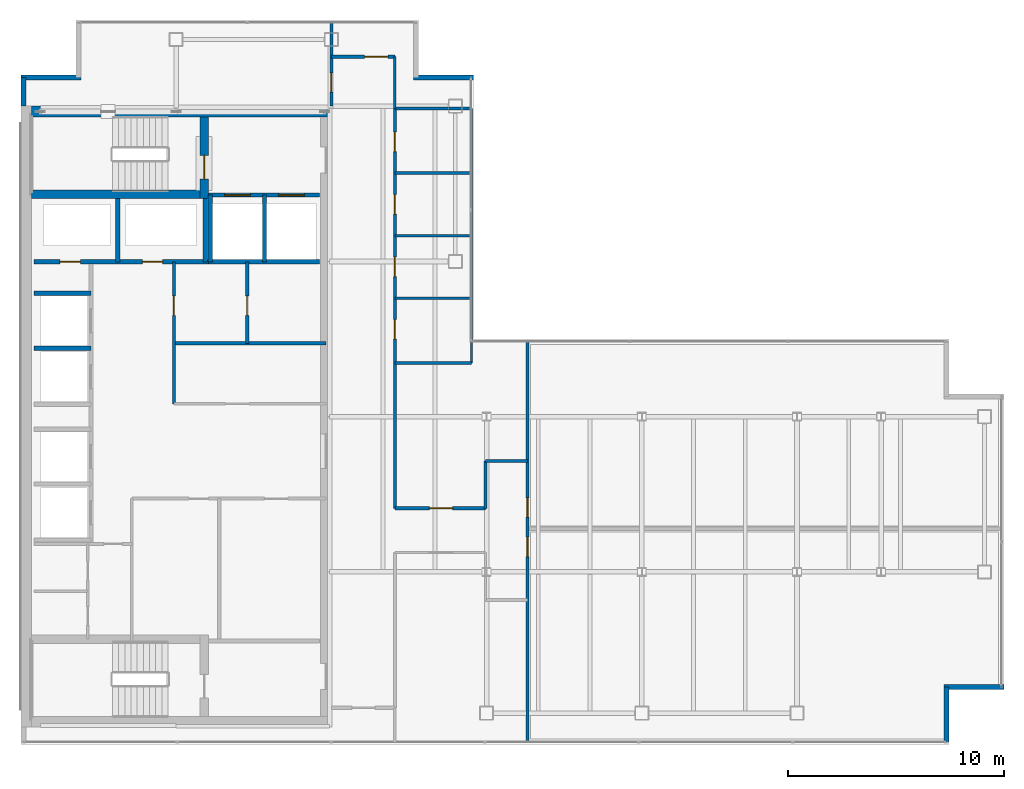
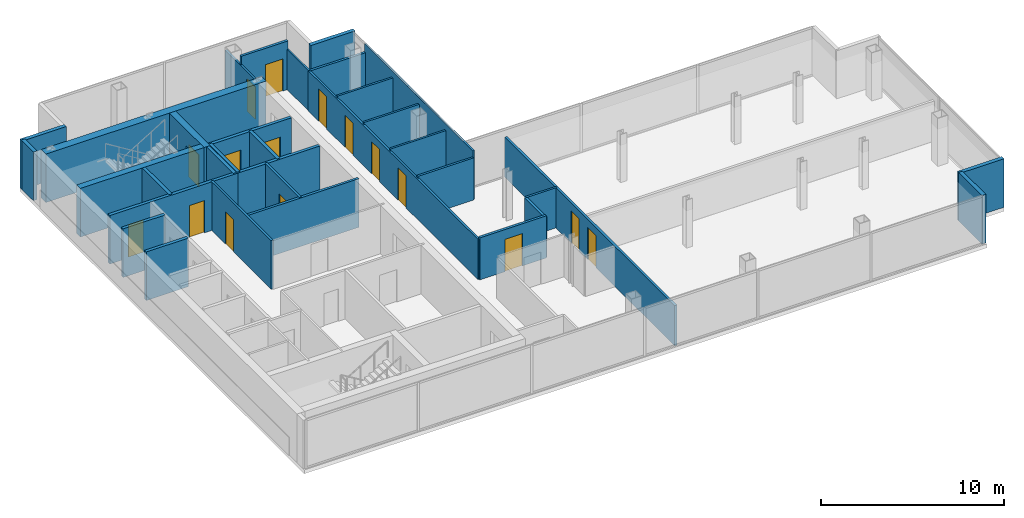
# One storey, part 21 of 23: 34 walls, 16 doors, 16 openings.
"""IFC4 building model written with IfcOpenShell, lengths in metres."""

from ifc_helpers import new_model, si_unit, direction, frame, frame_2d, origin, place, context, subcontext, project, spatial, rectangle, extrude, material, layer, layer_set, type_object, element, fill, save


model = new_model("IFC4")

# Units and contexts
model_context = context("Model", 3, precision=1e-05, world=origin(), true_north=direction((0.0, 1.0)))
body_context = subcontext(model_context, "Body", "Model", "MODEL_VIEW")
ifc_project = project(units=[si_unit("LENGTHUNIT", "METRE"), si_unit("AREAUNIT", "SQUARE_METRE"), si_unit("VOLUMEUNIT", "CUBIC_METRE"), si_unit("PLANEANGLEUNIT", "RADIAN"), si_unit("MASSUNIT", "GRAM", prefix="KILO")], contexts=[model_context])

# Site, building, storey
site_placement = place(None, origin())
site = spatial("IfcSite", under=ifc_project, at=site_placement, CompositionType="ELEMENT")
building_placement = place(site_placement, origin())
building = spatial("IfcBuilding", under=site, at=building_placement, Name="Cobrela Telecom Tower", CompositionType="ELEMENT")
storey_placement = place(building_placement, frame((0.0, 0.0, 251.64990234375)))
storey = spatial("IfcBuildingStorey", under=building, at=storey_placement, Name="L65", CompositionType="ELEMENT", Elevation=251.64990234375)

# Walls
ifc_material_1 = material(Name="Concrete C40/50", Category="concrete")
ifc_layer_1 = layer(ifc_material_1, 0.5)
ifc_layer_set_1 = layer_set([ifc_layer_1], Name="Concrete C40/50")
wall_type_1 = type_object("IfcWallType", Name="WALL-CORE-C40-500", PredefinedType="SHEAR", material=ifc_layer_set_1)
wall_1_placement = place(storey_placement, frame((0.5, 35.75, 0.0), z_axis=(0.0, 0.0, 1.0), x_axis=(1.0, 0.0, 0.0)))
element("IfcWall", 1, at=wall_1_placement, inside=storey, type_object=wall_type_1, Name="L65 North Core Shear Wall", PredefinedType="SHEAR", context=body_context, shape_type="SweptSolid", body=[
    extrude(rectangle(XDim=13.89990234375, YDim=0.5, at=frame_2d((6.949951171875, 0.0))), origin(), (0.0, 0.0, 1.0), 3.239990234375),
])
ifc_layer_2 = layer(ifc_material_1, 0.239990234375)
ifc_layer_set_2 = layer_set([ifc_layer_2], Name="Concrete C40/50")
wall_type_2 = type_object("IfcWallType", Name="WALL-EXT-300", PredefinedType="STANDARD", material=ifc_layer_set_2)
wall_2_placement = place(storey_placement, frame((0.1201171875, 36.0, 0.0), z_axis=(0.0, 0.0, 1.0), x_axis=(0.0, 1.0, 0.0)))
element("IfcWall", 2, at=wall_2_placement, inside=storey, type_object=wall_type_2, Name="L65 Insulated Facade Wall 02", PredefinedType="STANDARD", context=body_context, shape_type="SweptSolid", body=[
    extrude(rectangle(XDim=1.330078125, YDim=0.239990234375, at=frame_2d((0.6650390625, 0.0))), origin(), (0.0, 0.0, 1.0), 3.239990234375),
])
for number, where, z_axis, x_axis, name in (
    (3, (0.0, 37.330078125, 0.0), (0.0, 0.0, 1.0), (1.0, 0.0, 0.0), "L65 Insulated Facade Wall 03"),
    (4, (18.2099609375, 37.330078125, 0.0), (0.0, 0.0, 1.0), (1.0, 0.0, 0.0), "L65 Insulated Facade Wall 07"),
    (5, (45.60009765625, 9.070068359375, 0.0), (0.0, 0.0, 1.0), (-1.0, 0.0, 0.0), "L65 Insulated Facade Wall 13"),
):
    element("IfcWall", number, at=place(storey_placement, frame(where, z_axis=z_axis, x_axis=x_axis)), inside=storey, type_object=wall_type_2, Name=name, PredefinedType="STANDARD", context=body_context, shape_type="SweptSolid", body=[
        extrude(rectangle(XDim=2.7900390625, YDim=0.239990234375, at=frame_2d((1.39501953125, 0.0))), origin(), (0.0, 0.0, 1.0), 3.239990234375),
    ])
wall_3_placement = place(storey_placement, frame((42.929931640625, 9.070068359375, 0.0), z_axis=(0.0, 0.0, 1.0), x_axis=(0.0, -1.0, 0.0)))
element("IfcWall", 6, at=wall_3_placement, inside=storey, type_object=wall_type_2, Name="L65 Insulated Facade Wall 14", PredefinedType="STANDARD", context=body_context, shape_type="SweptSolid", body=[
    extrude(rectangle(XDim=2.550048828125, YDim=0.239990234375, at=frame_2d((1.27490234375, 0.0))), origin(), (0.0, 0.0, 1.0), 3.239990234375),
])
ifc_material_2 = material(Name="Fire-Rated Gypsum Plasterboard")
ifc_layer_3 = layer(ifc_material_2, 0.110107421875)
ifc_layer_set_3 = layer_set([ifc_layer_3], Name="Fire-Rated Gypsum Plasterboard")
wall_type_3 = type_object("IfcWallType", Name="WALL-PART-110", PredefinedType="PARTITIONING", material=ifc_layer_set_3)
wall_4_placement = place(storey_placement, frame((17.35009765625, 35.89990234375, 0.0), z_axis=(0.0, 0.0, 1.0), x_axis=(0.0, 1.0, 0.0)))
element("IfcWall", 7, at=wall_4_placement, inside=storey, type_object=wall_type_3, Name="L65 Interior Partition W-CN-E", PredefinedType="PARTITIONING", context=body_context, shape_type="SweptSolid", body=[
    extrude(rectangle(XDim=2.400146484375, YDim=0.110107421875, at=frame_2d((1.2001953125, 0.0))), origin(), (0.0, 0.0, 1.0), 2.676025390625),
])
wall_5_placement = place(storey_placement, frame((20.89990234375, 24.10009765625, 0.0), z_axis=(0.0, 0.0, 1.0), x_axis=(0.0, 1.0, 0.0)))
element("IfcWall", 8, at=wall_5_placement, inside=storey, type_object=wall_type_3, Name="L65 Interior Partition W-WC-E", PredefinedType="PARTITIONING", context=body_context, shape_type="SweptSolid", body=[
    extrude(rectangle(XDim=11.7998046875, YDim=0.110107421875, at=frame_2d((5.89990234375, 0.0))), origin(), (0.0, 0.0, 1.0), 3.239990234375),
])
ifc_layer_4 = layer(ifc_material_2, 0.125)
ifc_layer_set_4 = layer_set([ifc_layer_4], Name="Fire-Rated Gypsum Plasterboard")
wall_type_4 = type_object("IfcWallType", Name="WALL-PART-125", PredefinedType="PARTITIONING", material=ifc_layer_set_4)
for number, where, z_axis, x_axis, name in (
    (9, (17.35009765625, 27.10009765625, 0.0), (0.0, 0.0, 1.0), (1.0, 0.0, 0.0), "L65 Interior Partition W-WCD-1"),
    (10, (17.35009765625, 30.0, 0.0), (0.0, 0.0, 1.0), (1.0, 0.0, 0.0), "L65 Interior Partition W-WCD-2"),
    (11, (17.35009765625, 32.89990234375, 0.0), (0.0, 0.0, 1.0), (1.0, 0.0, 0.0), "L65 Interior Partition W-WCD-3"),
):
    element("IfcWall", number, at=place(storey_placement, frame(where, z_axis=z_axis, x_axis=x_axis)), inside=storey, type_object=wall_type_4, Name=name, PredefinedType="PARTITIONING", context=body_context, shape_type="SweptSolid", body=[
        extrude(rectangle(XDim=3.5498046875, YDim=0.125, at=frame_2d((1.77490234375, 0.0))), origin(), (0.0, 0.0, 1.0), 2.80810546875),
    ])

# Wall, opening, door
ifc_layer_5 = layer(ifc_material_2, 0.135009765625)
ifc_layer_set_5 = layer_set([ifc_layer_5], Name="Fire-Rated Gypsum Plasterboard")
wall_type_5 = type_object("IfcWallType", Name="WALL-PART-135", PredefinedType="PARTITIONING", material=ifc_layer_set_5)
wall_6_placement = place(storey_placement, frame((7.10009765625, 22.199951171875, 0.0), z_axis=(0.0, 0.0, 1.0), x_axis=(0.0, 1.0, 0.0)))
wall_6 = element("IfcWall", 12, at=wall_6_placement, inside=storey, type_object=wall_type_5, Name="L65 Interior Partition CW-RECL-W", PredefinedType="PARTITIONING", context=body_context, shape_type="SweptSolid", body=[
    extrude(rectangle(XDim=6.580078125, YDim=0.135009765625, at=frame_2d((3.2900390625, 0.0))), origin(), (0.0, 0.0, 1.0), 3.239990234375),
])
opening_1_placement = place(wall_6_placement, frame((4.10009765625, 0.0, 0.0)))
opening_1 = element("IfcOpeningElement", 13, at=opening_1_placement, cuts=wall_6, Name="Opening DR-41", PredefinedType="OPENING", context=body_context, shape_type="SweptSolid", body=[
    extrude(rectangle(XDim=0.89990234375, YDim=2.14990234375, at=frame_2d((0.449951171875, 1.074951171875))), frame((0.0, 0.07958984375, 0.0), z_axis=(0.0, -1.0, 0.0), x_axis=(1.0, 0.0, 0.0)), (0.0, 0.0, 1.0), 0.158935546875),
])
ifc_material_3 = material(Name="Solid Engineered Oak Timber", Category="wood")
door_type_1 = type_object("IfcDoorType", Name="DOOR-INT-900", OperationType="SINGLE_SWING_LEFT", PredefinedType="DOOR", material=ifc_material_3)
door_1_placement = place(opening_1_placement, origin())
door_1 = element("IfcDoor", 14, at=door_1_placement, inside=storey, type_object=door_type_1, Name="L65 Door DR-41", OperationType="SINGLE_SWING_RIGHT", OverallHeight=2.14990234375, OverallWidth=0.89990234375, PredefinedType="DOOR", context=body_context, shape_type="SweptSolid", body=[
    extrude(rectangle(XDim=0.89990234375, YDim=2.14990234375, at=frame_2d((0.449951171875, 1.074951171875))), frame((0.0, 0.02490234375, 0.0), z_axis=(0.0, -1.0, 0.0), x_axis=(1.0, 0.0, 0.0)), (0.0, 0.0, 1.0), 0.050048828125),
])
fill(opening_1, door_1)

# Wall, openings, doors
wall_7_placement = place(storey_placement, frame((17.35009765625, 17.35009765625, 0.0), z_axis=(0.0, 0.0, 1.0), x_axis=(0.0, 1.0, 0.0)))
wall_7 = element("IfcWall", 15, at=wall_7_placement, inside=storey, type_object=wall_type_5, Name="L65 Interior Partition W-C-E2", PredefinedType="PARTITIONING", context=body_context, shape_type="SweptSolid", body=[
    extrude(rectangle(XDim=18.5498046875, YDim=0.135009765625, at=frame_2d((9.27490234375, 0.0))), origin(), (0.0, 0.0, 1.0), 2.676025390625),
])
opening_2_placement = place(wall_7_placement, frame((7.85009765625, 0.0, 0.0)))
opening_2 = element("IfcOpeningElement", 16, at=opening_2_placement, cuts=wall_7, Name="Opening DR-41", PredefinedType="OPENING", context=body_context, shape_type="SweptSolid", body=[
    extrude(rectangle(XDim=0.89990234375, YDim=2.14990234375, at=frame_2d((0.449951171875, 1.074951171875))), frame((0.0, 0.07958984375, 0.0), z_axis=(0.0, -1.0, 0.0), x_axis=(1.0, 0.0, 0.0)), (0.0, 0.0, 1.0), 0.158935546875),
])
opening_3_placement = place(wall_7_placement, frame((10.75, 0.0, 0.0)))
opening_3 = element("IfcOpeningElement", 17, at=opening_3_placement, cuts=wall_7, Name="Opening DR-41", PredefinedType="OPENING", context=body_context, shape_type="SweptSolid", body=[
    extrude(rectangle(XDim=0.89990234375, YDim=2.14990234375, at=frame_2d((0.449951171875, 1.074951171875))), frame((0.0, 0.07958984375, 0.0), z_axis=(0.0, -1.0, 0.0), x_axis=(1.0, 0.0, 0.0)), (0.0, 0.0, 1.0), 0.158935546875),
])
opening_4_placement = place(wall_7_placement, frame((13.64990234375, 0.0, 0.0)))
opening_4 = element("IfcOpeningElement", 18, at=opening_4_placement, cuts=wall_7, Name="Opening DR-41", PredefinedType="OPENING", context=body_context, shape_type="SweptSolid", body=[
    extrude(rectangle(XDim=0.89990234375, YDim=2.14990234375, at=frame_2d((0.449951171875, 1.074951171875))), frame((0.0, 0.07958984375, 0.0), z_axis=(0.0, -1.0, 0.0), x_axis=(1.0, 0.0, 0.0)), (0.0, 0.0, 1.0), 0.158935546875),
])
opening_5_placement = place(wall_7_placement, frame((16.550048828125, 0.0, 0.0)))
opening_5 = element("IfcOpeningElement", 19, at=opening_5_placement, cuts=wall_7, Name="Opening DR-41", PredefinedType="OPENING", context=body_context, shape_type="SweptSolid", body=[
    extrude(rectangle(XDim=0.89990234375, YDim=2.14990234375, at=frame_2d((0.449951171875, 1.074951171875))), frame((0.0, 0.07958984375, 0.0), z_axis=(0.0, -1.0, 0.0), x_axis=(1.0, 0.0, 0.0)), (0.0, 0.0, 1.0), 0.158935546875),
])
door_2_placement = place(opening_2_placement, origin())
door_2 = element("IfcDoor", 20, at=door_2_placement, inside=storey, type_object=door_type_1, Name="L65 Door DR-41", OperationType="SINGLE_SWING_LEFT", OverallHeight=2.14990234375, OverallWidth=0.89990234375, PredefinedType="DOOR", context=body_context, shape_type="SweptSolid", body=[
    extrude(rectangle(XDim=0.89990234375, YDim=2.14990234375, at=frame_2d((0.449951171875, 1.074951171875))), frame((0.0, 0.02490234375, 0.0), z_axis=(0.0, -1.0, 0.0), x_axis=(1.0, 0.0, 0.0)), (0.0, 0.0, 1.0), 0.050048828125),
])
fill(opening_2, door_2)
door_3_placement = place(opening_3_placement, origin())
door_3 = element("IfcDoor", 21, at=door_3_placement, inside=storey, type_object=door_type_1, Name="L65 Door DR-41", OperationType="SINGLE_SWING_RIGHT", OverallHeight=2.14990234375, OverallWidth=0.89990234375, PredefinedType="DOOR", context=body_context, shape_type="SweptSolid", body=[
    extrude(rectangle(XDim=0.89990234375, YDim=2.14990234375, at=frame_2d((0.449951171875, 1.074951171875))), frame((0.0, 0.02490234375, 0.0), z_axis=(0.0, -1.0, 0.0), x_axis=(1.0, 0.0, 0.0)), (0.0, 0.0, 1.0), 0.050048828125),
])
fill(opening_3, door_3)
door_4_placement = place(opening_4_placement, origin())
door_4 = element("IfcDoor", 22, at=door_4_placement, inside=storey, type_object=door_type_1, Name="L65 Door DR-41", OperationType="SINGLE_SWING_LEFT", OverallHeight=2.14990234375, OverallWidth=0.89990234375, PredefinedType="DOOR", context=body_context, shape_type="SweptSolid", body=[
    extrude(rectangle(XDim=0.89990234375, YDim=2.14990234375, at=frame_2d((0.449951171875, 1.074951171875))), frame((0.0, 0.02490234375, 0.0), z_axis=(0.0, -1.0, 0.0), x_axis=(1.0, 0.0, 0.0)), (0.0, 0.0, 1.0), 0.050048828125),
])
fill(opening_4, door_4)
door_5_placement = place(opening_5_placement, origin())
door_5 = element("IfcDoor", 23, at=door_5_placement, inside=storey, type_object=door_type_1, Name="L65 Door DR-41", OperationType="SINGLE_SWING_RIGHT", OverallHeight=2.14990234375, OverallWidth=0.89990234375, PredefinedType="DOOR", context=body_context, shape_type="SweptSolid", body=[
    extrude(rectangle(XDim=0.89990234375, YDim=2.14990234375, at=frame_2d((0.449951171875, 1.074951171875))), frame((0.0, 0.02490234375, 0.0), z_axis=(0.0, -1.0, 0.0), x_axis=(1.0, 0.0, 0.0)), (0.0, 0.0, 1.0), 0.050048828125),
])
fill(opening_5, door_5)

# Wall
wall_8_placement = place(storey_placement, frame((21.550048828125, 19.550048828125, 0.0), z_axis=(0.0, 0.0, 1.0), x_axis=(1.0, 0.0, 0.0)))
element("IfcWall", 24, at=wall_8_placement, inside=storey, type_object=wall_type_5, Name="L65 Interior Partition W-CT-N", PredefinedType="PARTITIONING", context=body_context, shape_type="SweptSolid", body=[
    extrude(rectangle(XDim=1.949951171875, YDim=0.135009765625, at=frame_2d((0.97509765625, 0.0))), origin(), (0.0, 0.0, 1.0), 2.676025390625),
])

# Wall, opening, door
wall_9_placement = place(storey_placement, frame((14.39990234375, 36.0, 0.0), z_axis=(0.0, 0.0, 1.0), x_axis=(0.0, 1.0, 0.0)))
wall_9 = element("IfcWall", 25, at=wall_9_placement, inside=storey, type_object=wall_type_5, Name="L65 Interior Partition W-CN-W", PredefinedType="PARTITIONING", context=body_context, shape_type="SweptSolid", body=[
    extrude(rectangle(XDim=3.8798828125, YDim=0.135009765625, at=frame_2d((1.93994140625, 0.0))), origin(), (0.0, 0.0, 1.0), 2.676025390625),
])
opening_6_placement = place(wall_9_placement, frame((0.64990234375, 0.0, 0.0)))
opening_6 = element("IfcOpeningElement", 26, at=opening_6_placement, cuts=wall_9, Name="Opening DR-41", PredefinedType="OPENING", context=body_context, shape_type="SweptSolid", body=[
    extrude(rectangle(XDim=0.89990234375, YDim=2.14990234375, at=frame_2d((0.449951171875, 1.074951171875))), frame((0.0, 0.07958984375, 0.0), z_axis=(0.0, -1.0, 0.0), x_axis=(1.0, 0.0, 0.0)), (0.0, 0.0, 1.0), 0.158935546875),
])
door_6_placement = place(opening_6_placement, origin())
door_6 = element("IfcDoor", 27, at=door_6_placement, inside=storey, type_object=door_type_1, Name="L65 Door DR-41", OperationType="SINGLE_SWING_LEFT", OverallHeight=2.14990234375, OverallWidth=0.89990234375, PredefinedType="DOOR", context=body_context, shape_type="SweptSolid", body=[
    extrude(rectangle(XDim=0.89990234375, YDim=2.14990234375, at=frame_2d((0.449951171875, 1.074951171875))), frame((0.0, 0.02490234375, 0.0), z_axis=(0.0, -1.0, 0.0), x_axis=(1.0, 0.0, 0.0)), (0.0, 0.0, 1.0), 0.050048828125),
])
fill(opening_6, door_6)

# Wall
wall_10_placement = place(storey_placement, frame((17.35009765625, 24.10009765625, 0.0), z_axis=(0.0, 0.0, 1.0), x_axis=(1.0, 0.0, 0.0)))
element("IfcWall", 28, at=wall_10_placement, inside=storey, type_object=wall_type_5, Name="L65 Interior Partition W-WC-S", PredefinedType="PARTITIONING", context=body_context, shape_type="SweptSolid", body=[
    extrude(rectangle(XDim=3.5498046875, YDim=0.135009765625, at=frame_2d((1.77490234375, 0.0))), origin(), (0.0, 0.0, 1.0), 2.80810546875),
])

# Wall, opening, door
ifc_layer_6 = layer(ifc_material_2, 0.14990234375)
ifc_layer_set_6 = layer_set([ifc_layer_6], Name="Fire-Rated Gypsum Plasterboard")
wall_type_6 = type_object("IfcWallType", Name="WALL-PART-150", PredefinedType="PARTITIONING", material=ifc_layer_set_6)
wall_11_placement = place(storey_placement, frame((10.5, 25.0, 0.0), z_axis=(0.0, 0.0, 1.0), x_axis=(0.0, 1.0, 0.0)))
wall_11 = element("IfcWall", 29, at=wall_11_placement, inside=storey, type_object=wall_type_6, Name="L65 Interior Partition CW-RECL-VN", PredefinedType="PARTITIONING", context=body_context, shape_type="SweptSolid", body=[
    extrude(rectangle(XDim=3.780029296875, YDim=0.14990234375, at=frame_2d((1.89013671875, 0.0))), origin(), (0.0, 0.0, 1.0), 3.239990234375),
])
opening_7_placement = place(wall_11_placement, frame((1.300048828125, 0.0, 0.0)))
opening_7 = element("IfcOpeningElement", 30, at=opening_7_placement, cuts=wall_11, Name="Opening DR-41", PredefinedType="OPENING", context=body_context, shape_type="SweptSolid", body=[
    extrude(rectangle(XDim=0.89990234375, YDim=2.14990234375, at=frame_2d((0.449951171875, 1.074951171875))), frame((0.0, 0.0869140625, 0.0), z_axis=(0.0, -1.0, 0.0), x_axis=(1.0, 0.0, 0.0)), (0.0, 0.0, 1.0), 0.173828125),
])
door_7_placement = place(opening_7_placement, origin())
door_7 = element("IfcDoor", 31, at=door_7_placement, inside=storey, type_object=door_type_1, Name="L65 Door DR-41", OperationType="SINGLE_SWING_LEFT", OverallHeight=2.14990234375, OverallWidth=0.89990234375, PredefinedType="DOOR", context=body_context, shape_type="SweptSolid", body=[
    extrude(rectangle(XDim=0.89990234375, YDim=2.14990234375, at=frame_2d((0.449951171875, 1.074951171875))), frame((0.0, 0.02490234375, 0.0), z_axis=(0.0, -1.0, 0.0), x_axis=(1.0, 0.0, 0.0)), (0.0, 0.0, 1.0), 0.050048828125),
])
fill(opening_7, door_7)

# Wall, openings, doors
wall_12_placement = place(storey_placement, frame((23.5, 6.52001953125, 0.0), z_axis=(0.0, 0.0, 1.0), x_axis=(0.0, 1.0, 0.0)))
wall_12 = element("IfcWall", 32, at=wall_12_placement, inside=storey, type_object=wall_type_6, Name="L65 Interior Partition W-C-END", PredefinedType="PARTITIONING", context=body_context, shape_type="SweptSolid", body=[
    extrude(rectangle(XDim=18.56005859375, YDim=0.14990234375, at=frame_2d((9.280029296875, 0.0))), origin(), (0.0, 0.0, 1.0), 2.676025390625),
])
opening_8_placement = place(wall_12_placement, frame((8.590087890625, 0.0, 0.0)))
opening_8 = element("IfcOpeningElement", 33, at=opening_8_placement, cuts=wall_12, Name="Opening DR-41", PredefinedType="OPENING", context=body_context, shape_type="SweptSolid", body=[
    extrude(rectangle(XDim=0.89990234375, YDim=2.14990234375, at=frame_2d((0.449951171875, 1.074951171875))), frame((0.0, 0.0869140625, 0.0), z_axis=(0.0, -1.0, 0.0), x_axis=(1.0, 0.0, 0.0)), (0.0, 0.0, 1.0), 0.173828125),
])
opening_9_placement = place(wall_12_placement, frame((10.419921875, 0.0, 0.0)))
opening_9 = element("IfcOpeningElement", 34, at=opening_9_placement, cuts=wall_12, Name="Opening DR-41", PredefinedType="OPENING", context=body_context, shape_type="SweptSolid", body=[
    extrude(rectangle(XDim=0.89990234375, YDim=2.14990234375, at=frame_2d((0.449951171875, 1.074951171875))), frame((0.0, 0.0869140625, 0.0), z_axis=(0.0, -1.0, 0.0), x_axis=(1.0, 0.0, 0.0)), (0.0, 0.0, 1.0), 0.173828125),
])
door_8_placement = place(opening_8_placement, origin())
door_8 = element("IfcDoor", 35, at=door_8_placement, inside=storey, type_object=door_type_1, Name="L65 Door DR-41", OperationType="SINGLE_SWING_LEFT", OverallHeight=2.14990234375, OverallWidth=0.89990234375, PredefinedType="DOOR", context=body_context, shape_type="SweptSolid", body=[
    extrude(rectangle(XDim=0.89990234375, YDim=2.14990234375, at=frame_2d((0.449951171875, 1.074951171875))), frame((0.0, 0.02490234375, 0.0), z_axis=(0.0, -1.0, 0.0), x_axis=(1.0, 0.0, 0.0)), (0.0, 0.0, 1.0), 0.050048828125),
])
fill(opening_8, door_8)
door_9_placement = place(opening_9_placement, origin())
door_9 = element("IfcDoor", 36, at=door_9_placement, inside=storey, type_object=door_type_1, Name="L65 Door DR-41", OperationType="SINGLE_SWING_RIGHT", OverallHeight=2.14990234375, OverallWidth=0.89990234375, PredefinedType="DOOR", context=body_context, shape_type="SweptSolid", body=[
    extrude(rectangle(XDim=0.89990234375, YDim=2.14990234375, at=frame_2d((0.449951171875, 1.074951171875))), frame((0.0, 0.02490234375, 0.0), z_axis=(0.0, -1.0, 0.0), x_axis=(1.0, 0.0, 0.0)), (0.0, 0.0, 1.0), 0.050048828125),
])
fill(opening_9, door_9)

# Walls
wall_13_placement = place(storey_placement, frame((17.35009765625, 35.89990234375, 0.0), z_axis=(0.0, 0.0, 1.0), x_axis=(1.0, 0.0, 0.0)))
element("IfcWall", 37, at=wall_13_placement, inside=storey, type_object=wall_type_6, Name="L65 Interior Partition W-NW2-S", PredefinedType="PARTITIONING", context=body_context, shape_type="SweptSolid", body=[
    extrude(rectangle(XDim=3.52978515625, YDim=0.14990234375, at=frame_2d((1.764892578125, 0.0))), origin(), (0.0, 0.0, 1.0), 2.676025390625),
])
ifc_layer_7 = layer(ifc_material_2, 0.159912109375)
ifc_layer_set_7 = layer_set([ifc_layer_7], Name="Fire-Rated Gypsum Plasterboard")
wall_type_7 = type_object("IfcWallType", Name="WALL-PART-160", PredefinedType="PARTITIONING", material=ifc_layer_set_7)
wall_14_placement = place(storey_placement, frame((7.10009765625, 25.0, 0.0), z_axis=(0.0, 0.0, 1.0), x_axis=(1.0, 0.0, 0.0)))
element("IfcWall", 38, at=wall_14_placement, inside=storey, type_object=wall_type_7, Name="L65 Interior Partition CW-RECL-H", PredefinedType="PARTITIONING", context=body_context, shape_type="SweptSolid", body=[
    extrude(rectangle(XDim=7.0498046875, YDim=0.159912109375, at=frame_2d((3.52490234375, 0.0))), origin(), (0.0, 0.0, 1.0), 3.239990234375),
])

# Wall, opening, door
wall_15_placement = place(storey_placement, frame((17.35009765625, 17.35009765625, 0.0), z_axis=(0.0, 0.0, 1.0), x_axis=(1.0, 0.0, 0.0)))
wall_15 = element("IfcWall", 39, at=wall_15_placement, inside=storey, type_object=wall_type_7, Name="L65 Interior Partition W-C-HN", PredefinedType="PARTITIONING", context=body_context, shape_type="SweptSolid", body=[
    extrude(rectangle(XDim=4.199951171875, YDim=0.159912109375, at=frame_2d((2.10009765625, 0.0))), origin(), (0.0, 0.0, 1.0), 2.80810546875),
])
opening_10_placement = place(wall_15_placement, frame((1.60009765625, 0.0, 0.0)))
opening_10 = element("IfcOpeningElement", 40, at=opening_10_placement, cuts=wall_15, Name="Opening DR-63", PredefinedType="OPENING", context=body_context, shape_type="SweptSolid", body=[
    extrude(rectangle(XDim=1.080078125, YDim=2.14990234375, at=frame_2d((0.5400390625, 1.074951171875))), frame((0.0, 0.091796875, 0.0), z_axis=(0.0, -1.0, 0.0), x_axis=(1.0, 0.0, 0.0)), (0.0, 0.0, 1.0), 0.183837890625),
])
door_type_2 = type_object("IfcDoorType", Name="DOOR-INT-1080", OperationType="SINGLE_SWING_LEFT", PredefinedType="DOOR", material=ifc_material_3)
door_10_placement = place(opening_10_placement, origin())
door_10 = element("IfcDoor", 41, at=door_10_placement, inside=storey, type_object=door_type_2, Name="L65 Door DR-63", OperationType="SINGLE_SWING_LEFT", OverallHeight=2.14990234375, OverallWidth=1.080078125, PredefinedType="DOOR", context=body_context, shape_type="SweptSolid", body=[
    extrude(rectangle(XDim=1.080078125, YDim=2.14990234375, at=frame_2d((0.5400390625, 1.074951171875))), frame((0.0, 0.02490234375, 0.0), z_axis=(0.0, -1.0, 0.0), x_axis=(1.0, 0.0, 0.0)), (0.0, 0.0, 1.0), 0.050048828125),
])
fill(opening_10, door_10)

# Wall
wall_16_placement = place(storey_placement, frame((21.550048828125, 17.35009765625, 0.0), z_axis=(0.0, 0.0, 1.0), x_axis=(0.0, 1.0, 0.0)))
element("IfcWall", 42, at=wall_16_placement, inside=storey, type_object=wall_type_7, Name="L65 Interior Partition W-CT-JW2", PredefinedType="PARTITIONING", context=body_context, shape_type="SweptSolid", body=[
    extrude(rectangle(XDim=2.199951171875, YDim=0.159912109375, at=frame_2d((1.10009765625, 0.0))), origin(), (0.0, 0.0, 1.0), 2.676025390625),
])

# Wall, opening, door
wall_17_placement = place(storey_placement, frame((14.39990234375, 38.300048828125, 0.0), z_axis=(0.0, 0.0, 1.0), x_axis=(1.0, 0.0, 0.0)))
wall_17 = element("IfcWall", 43, at=wall_17_placement, inside=storey, type_object=wall_type_7, Name="L65 Interior Partition W-CN-T", PredefinedType="PARTITIONING", context=body_context, shape_type="SweptSolid", body=[
    extrude(rectangle(XDim=2.9501953125, YDim=0.159912109375, at=frame_2d((1.47509765625, 0.0))), origin(), (0.0, 0.0, 1.0), 3.239990234375),
])
opening_11_placement = place(wall_17_placement, frame((1.5400390625, 0.0, 0.0)))
opening_11 = element("IfcOpeningElement", 44, at=opening_11_placement, cuts=wall_17, Name="Opening DR-63", PredefinedType="OPENING", context=body_context, shape_type="SweptSolid", body=[
    extrude(rectangle(XDim=1.080078125, YDim=2.14990234375, at=frame_2d((0.5400390625, 1.074951171875))), frame((0.0, 0.091796875, 0.0), z_axis=(0.0, -1.0, 0.0), x_axis=(1.0, 0.0, 0.0)), (0.0, 0.0, 1.0), 0.183837890625),
])
door_11_placement = place(opening_11_placement, origin())
door_11 = element("IfcDoor", 45, at=door_11_placement, inside=storey, type_object=door_type_2, Name="L65 Door DR-63", OperationType="SINGLE_SWING_RIGHT", OverallHeight=2.14990234375, OverallWidth=1.080078125, PredefinedType="DOOR", context=body_context, shape_type="SweptSolid", body=[
    extrude(rectangle(XDim=1.080078125, YDim=2.14990234375, at=frame_2d((0.5400390625, 1.074951171875))), frame((0.0, 0.02490234375, 0.0), z_axis=(0.0, -1.0, 0.0), x_axis=(1.0, 0.0, 0.0)), (0.0, 0.0, 1.0), 0.050048828125),
])
fill(opening_11, door_11)

# Wall, openings, doors
ifc_layer_8 = layer(ifc_material_2, 0.199951171875)
ifc_layer_set_8 = layer_set([ifc_layer_8], Name="Fire-Rated Gypsum Plasterboard")
wall_type_8 = type_object("IfcWallType", Name="WALL-SHAFT-200", PredefinedType="PARTITIONING", material=ifc_layer_set_8)
wall_18_placement = place(storey_placement, frame((8.699951171875, 31.8798828125, 0.0), z_axis=(0.0, 0.0, 1.0), x_axis=(1.0, 0.0, 0.0)))
wall_18 = element("IfcWall", 46, at=wall_18_placement, inside=storey, type_object=wall_type_8, Name="L65 Shaft Enclosure CW-FFL-S", PredefinedType="PARTITIONING", context=body_context, shape_type="SweptSolid", body=[
    extrude(rectangle(XDim=5.150146484375, YDim=0.199951171875, at=frame_2d((2.5751953125, 0.0))), origin(), (0.0, 0.0, 1.0), 3.239990234375),
])
opening_12_placement = place(wall_18_placement, frame((0.75, 0.0, 0.0)))
opening_12 = element("IfcOpeningElement", 47, at=opening_12_placement, cuts=wall_18, Name="Opening LD-2", PredefinedType="OPENING", context=body_context, shape_type="SweptSolid", body=[
    extrude(rectangle(XDim=1.199951171875, YDim=2.199951171875, at=frame_2d((0.60009765625, 1.10009765625))), frame((0.0, 0.11181640625, 0.0), z_axis=(0.0, -1.0, 0.0), x_axis=(1.0, 0.0, 0.0)), (0.0, 0.0, 1.0), 0.223876953125),
])
opening_13_placement = place(wall_18_placement, frame((3.25, 0.0, 0.0)))
opening_13 = element("IfcOpeningElement", 48, at=opening_13_placement, cuts=wall_18, Name="Opening LD-2", PredefinedType="OPENING", context=body_context, shape_type="SweptSolid", body=[
    extrude(rectangle(XDim=1.199951171875, YDim=2.199951171875, at=frame_2d((0.60009765625, 1.10009765625))), frame((0.0, 0.11181640625, 0.0), z_axis=(0.0, -1.0, 0.0), x_axis=(1.0, 0.0, 0.0)), (0.0, 0.0, 1.0), 0.223876953125),
])
ifc_material_4 = material(Name="Steel ASTM A36", Category="steel")
door_type_3 = type_object("IfcDoorType", Name="DOOR-LD-FFL", OperationType="SINGLE_SWING_LEFT", PredefinedType="DOOR", material=ifc_material_4)
door_12_placement = place(opening_12_placement, origin())
door_12 = element("IfcDoor", 49, at=door_12_placement, inside=storey, type_object=door_type_3, Name="L65 Lift Landing Door LD-2", OperationType="DOUBLE_DOOR_SLIDING", OverallHeight=2.199951171875, OverallWidth=1.199951171875, PredefinedType="DOOR", context=body_context, shape_type="SweptSolid", body=[
    extrude(rectangle(XDim=1.199951171875, YDim=2.199951171875, at=frame_2d((0.60009765625, 1.10009765625))), frame((0.0, 0.02490234375, 0.0), z_axis=(0.0, -1.0, 0.0), x_axis=(1.0, 0.0, 0.0)), (0.0, 0.0, 1.0), 0.050048828125),
])
fill(opening_12, door_12)
door_13_placement = place(opening_13_placement, origin())
door_13 = element("IfcDoor", 50, at=door_13_placement, inside=storey, type_object=door_type_3, Name="L65 Lift Landing Door LD-2", OperationType="DOUBLE_DOOR_SLIDING", OverallHeight=2.199951171875, OverallWidth=1.199951171875, PredefinedType="DOOR", context=body_context, shape_type="SweptSolid", body=[
    extrude(rectangle(XDim=1.199951171875, YDim=2.199951171875, at=frame_2d((0.60009765625, 1.10009765625))), frame((0.0, 0.02490234375, 0.0), z_axis=(0.0, -1.0, 0.0), x_axis=(1.0, 0.0, 0.0)), (0.0, 0.0, 1.0), 0.050048828125),
])
fill(opening_13, door_13)

# Walls
wall_19_placement = place(storey_placement, frame((8.699951171875, 28.780029296875, 0.0), z_axis=(0.0, 0.0, 1.0), x_axis=(1.0, 0.0, 0.0)))
element("IfcWall", 51, at=wall_19_placement, inside=storey, type_object=wall_type_8, Name="L65 Shaft Enclosure CW-FFL-S2", PredefinedType="PARTITIONING", context=body_context, shape_type="SweptSolid", body=[
    extrude(rectangle(XDim=5.150146484375, YDim=0.199951171875, at=frame_2d((2.5751953125, 0.0))), origin(), (0.0, 0.0, 1.0), 3.239990234375),
])
for number, where, z_axis, x_axis, name in (
    (52, (8.780029296875, 28.780029296875, 0.0), (0.0, 0.0, 1.0), (0.0, 1.0, 0.0), "L65 Shaft Enclosure CW-FFL-W"),
    (53, (11.300048828125, 28.780029296875, 0.0), (0.0, 0.0, 1.0), (0.0, 1.0, 0.0), "L65 Shaft Enclosure CW-FFL-M"),
):
    element("IfcWall", number, at=place(storey_placement, frame(where, z_axis=z_axis, x_axis=x_axis)), inside=storey, type_object=wall_type_8, Name=name, PredefinedType="PARTITIONING", context=body_context, shape_type="SweptSolid", body=[
        extrude(rectangle(XDim=3.099853515625, YDim=0.199951171875, at=frame_2d((1.5498046875, 0.0))), origin(), (0.0, 0.0, 1.0), 3.239990234375),
    ])

# Wall, openings, doors
wall_20_placement = place(storey_placement, frame((0.60009765625, 28.780029296875, 0.0), z_axis=(0.0, 0.0, 1.0), x_axis=(1.0, 0.0, 0.0)))
wall_20 = element("IfcWall", 54, at=wall_20_placement, inside=storey, type_object=wall_type_8, Name="L65 Shaft Enclosure CW-RIS-S", PredefinedType="PARTITIONING", context=body_context, shape_type="SweptSolid", body=[
    extrude(rectangle(XDim=8.179931640625, YDim=0.199951171875, at=frame_2d((4.08984375, 0.0))), origin(), (0.0, 0.0, 1.0), 3.239990234375),
])
opening_14_placement = place(wall_20_placement, frame((1.2099609375, 0.0, 0.0)))
opening_14 = element("IfcOpeningElement", 55, at=opening_14_placement, cuts=wall_20, Name="Opening DR-65", PredefinedType="OPENING", context=body_context, shape_type="SweptSolid", body=[
    extrude(rectangle(XDim=0.949951171875, YDim=2.14990234375, at=frame_2d((0.47509765625, 1.074951171875))), frame((0.0, 0.11181640625, 0.0), z_axis=(0.0, -1.0, 0.0), x_axis=(1.0, 0.0, 0.0)), (0.0, 0.0, 1.0), 0.223876953125),
])
opening_15_placement = place(wall_20_placement, frame((5.030029296875, 0.0, 0.0)))
opening_15 = element("IfcOpeningElement", 56, at=opening_15_placement, cuts=wall_20, Name="Opening DR-65", PredefinedType="OPENING", context=body_context, shape_type="SweptSolid", body=[
    extrude(rectangle(XDim=0.949951171875, YDim=2.14990234375, at=frame_2d((0.47509765625, 1.074951171875))), frame((0.0, 0.11181640625, 0.0), z_axis=(0.0, -1.0, 0.0), x_axis=(1.0, 0.0, 0.0)), (0.0, 0.0, 1.0), 0.223876953125),
])
door_type_4 = type_object("IfcDoorType", Name="DOOR-FD60-950", OperationType="SINGLE_SWING_LEFT", PredefinedType="DOOR", material=ifc_material_4)
door_14_placement = place(opening_14_placement, origin())
door_14 = element("IfcDoor", 57, at=door_14_placement, inside=storey, type_object=door_type_4, Name="L65 Door DR-65", OperationType="SINGLE_SWING_LEFT", OverallHeight=2.14990234375, OverallWidth=0.949951171875, PredefinedType="DOOR", context=body_context, shape_type="SweptSolid", body=[
    extrude(rectangle(XDim=0.949951171875, YDim=2.14990234375, at=frame_2d((0.47509765625, 1.074951171875))), frame((0.0, 0.02490234375, 0.0), z_axis=(0.0, -1.0, 0.0), x_axis=(1.0, 0.0, 0.0)), (0.0, 0.0, 1.0), 0.050048828125),
])
fill(opening_14, door_14)
door_15_placement = place(opening_15_placement, origin())
door_15 = element("IfcDoor", 58, at=door_15_placement, inside=storey, type_object=door_type_4, Name="L65 Door DR-65", OperationType="SINGLE_SWING_RIGHT", OverallHeight=2.14990234375, OverallWidth=0.949951171875, PredefinedType="DOOR", context=body_context, shape_type="SweptSolid", body=[
    extrude(rectangle(XDim=0.949951171875, YDim=2.14990234375, at=frame_2d((0.47509765625, 1.074951171875))), frame((0.0, 0.02490234375, 0.0), z_axis=(0.0, -1.0, 0.0), x_axis=(1.0, 0.0, 0.0)), (0.0, 0.0, 1.0), 0.050048828125),
])
fill(opening_15, door_15)

# Walls
for number, where, z_axis, x_axis, name in (
    (59, (4.5, 28.780029296875, 0.0), (0.0, 0.0, 1.0), (0.0, 1.0, 0.0), "L65 Shaft Enclosure CW-RIS-M"),
    (60, (8.550048828125, 28.780029296875, 0.0), (0.0, 0.0, 1.0), (0.0, 1.0, 0.0), "L65 Shaft Enclosure CW-RIS-E"),
):
    element("IfcWall", number, at=place(storey_placement, frame(where, z_axis=z_axis, x_axis=x_axis)), inside=storey, type_object=wall_type_8, Name=name, PredefinedType="PARTITIONING", context=body_context, shape_type="SweptSolid", body=[
        extrude(rectangle(XDim=2.93994140625, YDim=0.199951171875, at=frame_2d((1.469970703125, 0.0))), origin(), (0.0, 0.0, 1.0), 3.239990234375),
    ])
for number, where, z_axis, x_axis, name in (
    (61, (0.60009765625, 24.780029296875, 0.0), (0.0, 0.0, 1.0), (1.0, 0.0, 0.0), "L65 Shaft Enclosure CW-PLH-D12"),
    (62, (0.60009765625, 27.320068359375, 0.0), (0.0, 0.0, 1.0), (1.0, 0.0, 0.0), "L65 Shaft Enclosure CW-PLH-TOP"),
):
    element("IfcWall", number, at=place(storey_placement, frame(where, z_axis=z_axis, x_axis=x_axis)), inside=storey, type_object=wall_type_8, Name=name, PredefinedType="PARTITIONING", context=body_context, shape_type="SweptSolid", body=[
        extrude(rectangle(XDim=2.64990234375, YDim=0.199951171875, at=frame_2d((1.324951171875, 0.0))), origin(), (0.0, 0.0, 1.0), 3.239990234375),
    ])
ifc_layer_9 = layer(ifc_material_1, 0.39990234375)
ifc_layer_set_9 = layer_set([ifc_layer_9], Name="Concrete C40/50")
wall_type_9 = type_object("IfcWallType", Name="WALL-SHAFT-C40-400", PredefinedType="SHEAR", material=ifc_layer_set_9)
wall_21_placement = place(storey_placement, frame((0.5, 31.919921875, 0.0), z_axis=(0.0, 0.0, 1.0), x_axis=(1.0, 0.0, 0.0)))
element("IfcWall", 63, at=wall_21_placement, inside=storey, type_object=wall_type_9, Name="L65 North Stair Shear Wall", PredefinedType="SHEAR", context=body_context, shape_type="SweptSolid", body=[
    extrude(rectangle(XDim=7.800048828125, YDim=0.39990234375, at=frame_2d((3.89990234375, 0.0))), origin(), (0.0, 0.0, 1.0), 3.239990234375),
])

# Wall, opening, door
wall_22_placement = place(storey_placement, frame((8.5, 31.719970703125, 0.0), z_axis=(0.0, 0.0, 1.0), x_axis=(0.0, 1.0, 0.0)))
wall_22 = element("IfcWall", 64, at=wall_22_placement, inside=storey, type_object=wall_type_9, Name="L65 North Stair Lobby Shear Wall", PredefinedType="SHEAR", context=body_context, shape_type="SweptSolid", body=[
    extrude(rectangle(XDim=3.780029296875, YDim=0.39990234375, at=frame_2d((1.89013671875, 0.0))), origin(), (0.0, 0.0, 1.0), 3.239990234375),
])
opening_16_placement = place(wall_22_placement, frame((0.89990234375, 0.0, 0.0)))
opening_16 = element("IfcOpeningElement", 65, at=opening_16_placement, cuts=wall_22, Name="Opening DR-59", PredefinedType="OPENING", context=body_context, shape_type="SweptSolid", body=[
    extrude(rectangle(XDim=1.10009765625, YDim=2.14990234375, at=frame_2d((0.550048828125, 1.074951171875))), frame((0.0, 0.2119140625, 0.0), z_axis=(0.0, -1.0, 0.0), x_axis=(1.0, 0.0, 0.0)), (0.0, 0.0, 1.0), 0.423828125),
])
door_type_5 = type_object("IfcDoorType", Name="DOOR-FD60-1100", OperationType="SINGLE_SWING_LEFT", PredefinedType="DOOR", material=ifc_material_4)
door_16_placement = place(opening_16_placement, origin())
door_16 = element("IfcDoor", 66, at=door_16_placement, inside=storey, type_object=door_type_5, Name="L65 Door DR-59", OperationType="SINGLE_SWING_RIGHT", OverallHeight=2.14990234375, OverallWidth=1.10009765625, PredefinedType="DOOR", context=body_context, shape_type="SweptSolid", body=[
    extrude(rectangle(XDim=1.10009765625, YDim=2.14990234375, at=frame_2d((0.550048828125, 1.074951171875))), frame((0.0, 0.02490234375, 0.0), z_axis=(0.0, -1.0, 0.0), x_axis=(1.0, 0.0, 0.0)), (0.0, 0.0, 1.0), 0.050048828125),
])
fill(opening_16, door_16)

save(model, "model.ifc")
